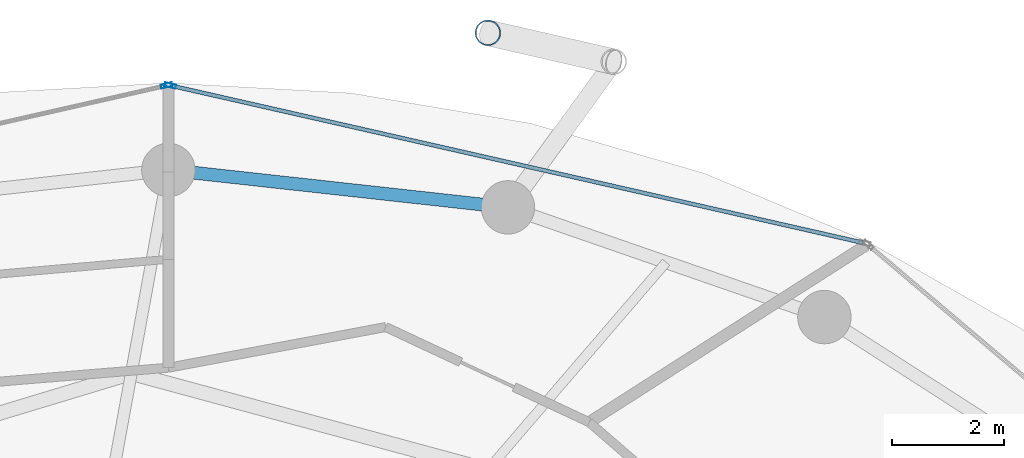
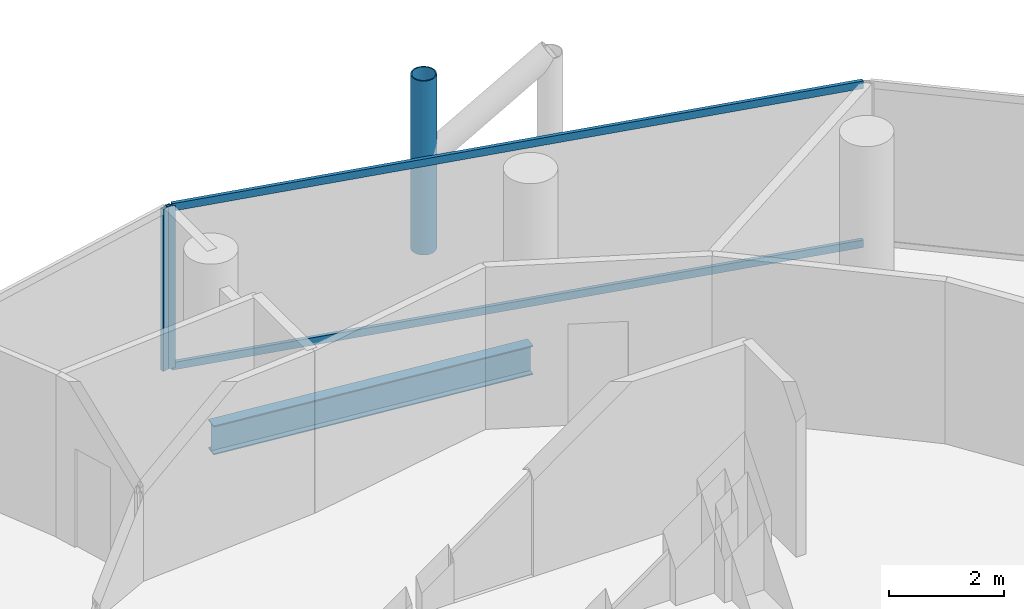
# One storey, part 17 of 26: 5 members, 1 beam, 2 elements without a shape of their own.
"""IFC4 building model written with IfcOpenShell, lengths in metres."""

from ifc_helpers import new_model, si_unit, direction, frame, origin, origin_2d, place, context, subcontext, project, spatial, hollow_rectangle, hollow_circle, i_section, extrude, material, layer, layer_set, material_profile, profile_set, type_object, element, aggregate, save


model = new_model("IFC4")

# Units and contexts
model_context = context("Model", 3, precision=1e-05, world=origin(), true_north=direction((0.0, 1.0)))
body_context = subcontext(model_context, "Body", "Model", "MODEL_VIEW")
ifc_project = project(units=[si_unit("LENGTHUNIT", "METRE"), si_unit("AREAUNIT", "SQUARE_METRE"), si_unit("VOLUMEUNIT", "CUBIC_METRE"), si_unit("PLANEANGLEUNIT", "RADIAN"), si_unit("MASSUNIT", "GRAM", prefix="KILO")], contexts=[model_context])

# Site, building, storey
site_placement = place(None, origin())
site = spatial("IfcSite", under=ifc_project, at=site_placement, CompositionType="ELEMENT")
building_placement = place(site_placement, origin())
building = spatial("IfcBuilding", under=site, at=building_placement, Name="Nuhasar Tower", CompositionType="ELEMENT")
storey_placement = place(building_placement, frame((0.0, 0.0, 147.85009765625)))
storey = spatial("IfcBuildingStorey", under=building, at=storey_placement, Name="L35", CompositionType="ELEMENT", Elevation=147.85009765625)

# Beam
ifc_material_1 = material(Name="Steel S355", Category="steel")
ifc_material_profile_1 = material_profile(ifc_material_1, i_section(OverallWidth=0.22998046875, OverallDepth=0.616943359375, WebThickness=0.01318359375, FlangeThickness=0.022216796875, at=origin_2d()), Name="W24X94")
ifc_profile_set_1 = profile_set([ifc_material_profile_1], Name="Steel S355")
beam_type = type_object("IfcBeamType", Name="BM-RING-W24X94", PredefinedType="SPANDREL", material=ifc_profile_set_1)
beam_placement = place(storey_placement, frame((45.04296875, 45.68408203125, -0.55908203125), z_axis=(-0.993981289157, 0.109549974015, 0.0), x_axis=(-0.109549974015, -0.993981289157, 0.0)))
element("IfcBeam", 1, at=beam_placement, inside=storey, type_object=beam_type, Name="L35 Perimeter Ring Spandrel 06", PredefinedType="SPANDREL", context=body_context, shape_type="SweptSolid", body=[
    extrude(i_section(OverallWidth=0.22998046875, OverallDepth=0.616943359375, WebThickness=0.01318359375, FlangeThickness=0.022216796875, at=origin_2d()), origin(), (0.0, 0.0, 1.0), 6.07958984375),
])

# Curtain wall, member
ifc_material_2 = material(Name="Aluminium 6063-T6", Category="aluminium")
ifc_layer = layer(ifc_material_2, 0.199951171875)
ifc_layer_set = layer_set([ifc_layer], Name="Aluminium 6063-T6")
curtain_wall_type = type_object("IfcCurtainWallType", Name="CW-Z2-HTL", PredefinedType="NOTDEFINED", material=ifc_layer_set)
curtain_wall_1_placement = place(storey_placement, origin())
curtain_wall_1 = element("IfcCurtainWall", 2, at=curtain_wall_1_placement, inside=storey, type_object=curtain_wall_type, Name="L35 Unitised Curtain Wall 03", PredefinedType="NOTDEFINED")
ifc_material_profile_2 = material_profile(ifc_material_2, hollow_rectangle(XDim=0.070068359375, YDim=0.199951171875, WallThickness=0.0048828125, at=origin_2d()), Name="CWM-3")
ifc_profile_set_2 = profile_set([ifc_material_profile_2], Name="Aluminium 6063-T6")
member_type_1 = type_object("IfcMemberType", Name="CW-MUL-S3", PredefinedType="MULLION", material=ifc_profile_set_2)
member_1_placement = place(storey_placement, frame((39.0341796875, 47.852294921875, 0.0), z_axis=(0.0, 0.0, 1.0), x_axis=(-0.22139729566, -0.975183694221, 0.0)))
member_1 = element("IfcMember", 3, at=member_1_placement, type_object=member_type_1, Name="CW-Z2 mullion 2", PredefinedType="MULLION", context=body_context, shape_type="SweptSolid", body=[
    extrude(hollow_rectangle(XDim=0.070068359375, YDim=0.199951171875, WallThickness=0.0048828125, at=origin_2d()), origin(), (0.0, 0.0, 1.0), 3.449951171875),
])

curtain_wall_2_placement = place(storey_placement, origin())
curtain_wall_2 = element("IfcCurtainWall", 4, at=curtain_wall_2_placement, inside=storey, type_object=curtain_wall_type, Name="L35 Unitised Curtain Wall 04", PredefinedType="NOTDEFINED")
member_2_placement = place(storey_placement, frame((38.9658203125, 47.852294921875, 0.0), z_axis=(0.0, 0.0, 1.0), x_axis=(0.22139729566, -0.975183694221, 0.0)))
member_2 = element("IfcMember", 5, at=member_2_placement, type_object=member_type_1, Name="CW-Z2 mullion 1", PredefinedType="MULLION", context=body_context, shape_type="SweptSolid", body=[
    extrude(hollow_rectangle(XDim=0.070068359375, YDim=0.199951171875, WallThickness=0.0048828125, at=origin_2d()), origin(), (0.0, 0.0, 1.0), 3.449951171875),
])
aggregate(curtain_wall_2, [member_2])

# Member
ifc_material_profile_3 = material_profile(ifc_material_2, hollow_rectangle(XDim=0.070068359375, YDim=0.159912109375, WallThickness=0.00439453125, at=origin_2d()), Name="CWT-3")
ifc_profile_set_3 = profile_set([ifc_material_profile_3], Name="Aluminium 6063-T6")
member_type_2 = type_object("IfcMemberType", Name="CW-TRN-S3", PredefinedType="USERDEFINED", material=ifc_profile_set_3)
member_3_placement = place(storey_placement, frame((51.36181640625, 45.053466796875, 0.034912109375), z_axis=(-0.975183434528, 0.221398439519, 0.0), x_axis=(-0.221398439519, -0.975183434528, 0.0)))
member_3 = element("IfcMember", 6, at=member_3_placement, type_object=member_type_2, Name="CW-Z2 transom 1.1", ObjectType="TRANSOM", PredefinedType="USERDEFINED", context=body_context, shape_type="SweptSolid", body=[
    extrude(hollow_rectangle(XDim=0.070068359375, YDim=0.159912109375, WallThickness=0.00439453125, at=origin_2d()), origin(), (0.0, 0.0, 1.0), 12.606201171875),
])

member_4_placement = place(storey_placement, frame((51.36181640625, 45.053466796875, 3.414794921875), z_axis=(-0.975183434528, 0.221398439519, 0.0), x_axis=(-0.221398439519, -0.975183434528, 0.0)))
member_4 = element("IfcMember", 7, at=member_4_placement, type_object=member_type_2, Name="CW-Z2 transom 1.2", ObjectType="TRANSOM", PredefinedType="USERDEFINED", context=body_context, shape_type="SweptSolid", body=[
    extrude(hollow_rectangle(XDim=0.070068359375, YDim=0.159912109375, WallThickness=0.00439453125, at=origin_2d()), origin(), (0.0, 0.0, 1.0), 12.606201171875),
])

aggregate(curtain_wall_1, [member_1, member_3, member_4])

ifc_material_3 = material(Name="Steel S460", Category="steel")
ifc_material_profile_4 = material_profile(ifc_material_3, hollow_circle(Radius=0.228515625, WallThickness=0.022216796875, at=origin_2d()), Name="HSS457X22.2")
ifc_profile_set_4 = profile_set([ifc_material_profile_4], Name="Steel S460")
member_type_3 = type_object("IfcMemberType", Name="EXO-BRONZE-457", PredefinedType="BRACE", material=ifc_profile_set_4)
member_5_placement = place(storey_placement, frame((44.68603515625, 48.7900390625, 0.0), z_axis=(0.0, 0.0, 1.0), x_axis=(1.0, 0.0, 0.0)))
element("IfcMember", 8, at=member_5_placement, inside=storey, type_object=member_type_3, Name="L35 Exoskeleton Chord Column EC-03B", PredefinedType="BRACE", context=body_context, shape_type="SweptSolid", body=[
    extrude(hollow_circle(Radius=0.228515625, WallThickness=0.022216796875, at=origin_2d()), origin(), (0.0, 0.0, 1.0), 3.699951171875),
])

save(model, "model.ifc")
